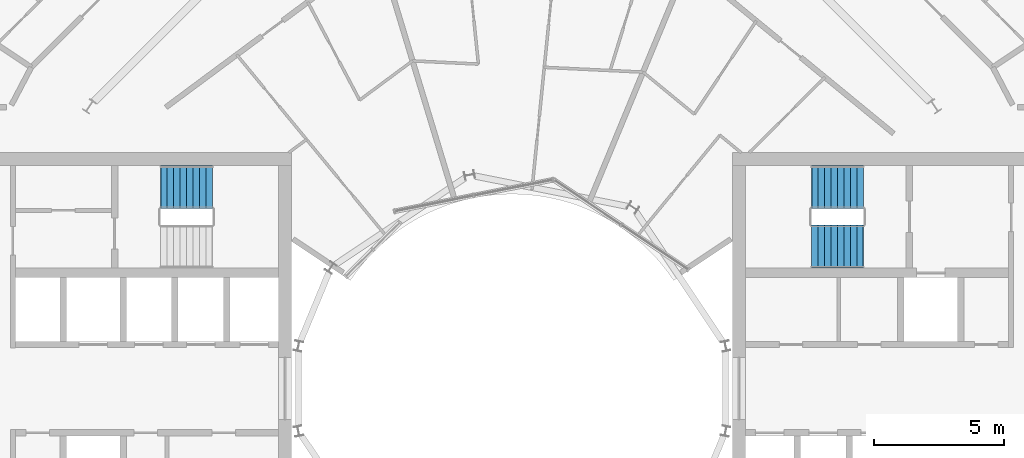
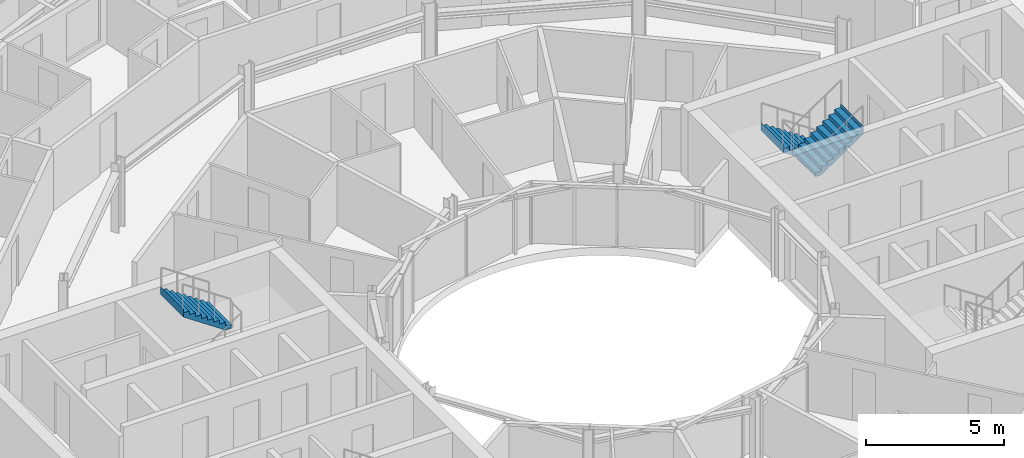
# One storey, part 25 of 27: 3 stair flights, 2 elements without a shape of their own.
"""IFC4 building model written with IfcOpenShell, lengths in metres."""

from ifc_helpers import new_model, si_unit, direction, frame, origin, place, context, subcontext, project, spatial, triangles, material, type_object, element, aggregate, save


model = new_model("IFC4")

# Units and contexts
model_context = context("Model", 3, precision=1e-05, world=origin(), true_north=direction((0.0, 1.0)))
body_context = subcontext(model_context, "Body", "Model", "MODEL_VIEW")
ifc_project = project(units=[si_unit("LENGTHUNIT", "METRE"), si_unit("AREAUNIT", "SQUARE_METRE"), si_unit("VOLUMEUNIT", "CUBIC_METRE"), si_unit("PLANEANGLEUNIT", "RADIAN"), si_unit("MASSUNIT", "GRAM", prefix="KILO")], contexts=[model_context])

# Site, building, storey
site_placement = place(None, origin())
site = spatial("IfcSite", under=ifc_project, at=site_placement, CompositionType="ELEMENT")
building_placement = place(site_placement, origin())
building = spatial("IfcBuilding", under=site, at=building_placement, Name="Maasbend Ring Residences", CompositionType="ELEMENT")
storey_placement = place(building_placement, frame((0.0, 0.0, 167.699951171875)))
storey = spatial("IfcBuildingStorey", under=building, at=storey_placement, Name="L48", CompositionType="ELEMENT", Elevation=167.699951171875)

# Stair, stair flights
ifc_material_1 = material(Name="Concrete C40/50", Category="concrete")
stair_type = type_object("IfcStairType", Name="CORE STAIR 18 RISERS", PredefinedType="HALF_TURN_STAIR", material=ifc_material_1)
stair_1_placement = place(storey_placement, origin())
stair_1 = element("IfcStair", 1, at=stair_1_placement, inside=storey, type_object=stair_type, Name="L48 Exit stair ST-E1", PredefinedType="HALF_TURN_STAIR")
ifc_material_2 = material(Name="Concrete C40/50", Category="concrete")
stair_flight_type = type_object("IfcStairFlightType", Name="CORE STAIR FLIGHT 1650", PredefinedType="STRAIGHT", material=ifc_material_2)
stair_flight_1_placement = place(storey_placement, frame((13.550048828125, 7.77490234375, 0.0), z_axis=(0.0, 0.0, 1.0), x_axis=(-1.0, 0.0, 0.0)))
stair_flight_1 = element("IfcStairFlight", 2, at=stair_flight_1_placement, type_object=stair_flight_type, Name="ST-E1 flight 1", NumberOfRisers=9, NumberOfTreads=8, PredefinedType="STRAIGHT", RiserHeight=0.169444444, TreadLength=0.25, context=body_context, shape_type="Tessellation", body=[
    triangles([(0.24072265625, 0.824951171875, -0.02001953125), (2.0029296875, 0.824951171875, 1.174560546875), (2.0029296875, 0.824951171875, 1.52490234375), (1.989990234375, 0.824951171875, 1.35546875), (1.75, 0.824951171875, 1.35546875), (1.75, 0.824951171875, 1.18603515625), (1.5, 0.824951171875, 1.18603515625), (1.5, 0.824951171875, 1.0166015625), (1.25, 0.824951171875, 1.0166015625), (1.25, 0.824951171875, 0.84716796875), (1.0, 0.824951171875, 0.84716796875), (1.0, 0.824951171875, 0.677734375), (0.75, 0.824951171875, 0.677734375), (0.75, 0.824951171875, 0.50830078125), (0.5, 0.824951171875, 0.50830078125), (0.5, 0.824951171875, 0.3388671875), (0.25, 0.824951171875, 0.3388671875), (0.25, 0.824951171875, 0.16943359375), (0.0, 0.824951171875, 0.16943359375), (0.0, 0.824951171875, 0.0), (-0.0029296875, 0.824951171875, 0.0), (-0.0029296875, 0.824951171875, -0.02001953125), (0.24072265625, 0.27490234375, -0.02001953125), (2.0029296875, 0.27490234375, 1.174560546875), (2.0029296875, 0.27490234375, 1.52490234375), (1.989990234375, 0.27490234375, 1.35546875), (1.75, 0.27490234375, 1.35546875), (1.75, 0.27490234375, 1.18603515625), (1.5, 0.27490234375, 1.18603515625), (1.5, 0.27490234375, 1.0166015625), (1.25, 0.27490234375, 1.0166015625), (1.25, 0.27490234375, 0.84716796875), (1.0, 0.27490234375, 0.84716796875), (1.0, 0.27490234375, 0.677734375), (0.75, 0.27490234375, 0.677734375), (0.75, 0.27490234375, 0.50830078125), (0.5, 0.27490234375, 0.50830078125), (0.5, 0.27490234375, 0.3388671875), (0.25, 0.27490234375, 0.3388671875), (0.25, 0.27490234375, 0.16943359375), (0.0, 0.27490234375, 0.16943359375), (0.0, 0.27490234375, 0.0), (-0.0029296875, 0.27490234375, 0.0), (-0.0029296875, 0.27490234375, -0.02001953125), (0.24072265625, -0.27490234375, -0.02001953125), (2.0029296875, -0.27490234375, 1.174560546875), (2.0029296875, -0.27490234375, 1.52490234375), (1.989990234375, -0.27490234375, 1.35546875), (1.75, -0.27490234375, 1.35546875), (1.75, -0.27490234375, 1.18603515625), (1.5, -0.27490234375, 1.18603515625), (1.5, -0.27490234375, 1.0166015625), (1.25, -0.27490234375, 1.0166015625), (1.25, -0.27490234375, 0.84716796875), (1.0, -0.27490234375, 0.84716796875), (1.0, -0.27490234375, 0.677734375), (0.75, -0.27490234375, 0.677734375), (0.75, -0.27490234375, 0.50830078125), (0.5, -0.27490234375, 0.50830078125), (0.5, -0.27490234375, 0.3388671875), (0.25, -0.27490234375, 0.3388671875), (0.25, -0.27490234375, 0.16943359375), (0.0, -0.27490234375, 0.16943359375), (0.0, -0.27490234375, 0.0), (-0.0029296875, -0.27490234375, 0.0), (-0.0029296875, -0.27490234375, -0.02001953125), (0.24072265625, -0.824951171875, -0.02001953125), (2.0029296875, -0.824951171875, 1.174560546875), (2.0029296875, -0.824951171875, 1.52490234375), (1.989990234375, -0.824951171875, 1.35546875), (1.75, -0.824951171875, 1.35546875), (1.75, -0.824951171875, 1.18603515625), (1.5, -0.824951171875, 1.18603515625), (1.5, -0.824951171875, 1.0166015625), (1.25, -0.824951171875, 1.0166015625), (1.25, -0.824951171875, 0.84716796875), (1.0, -0.824951171875, 0.84716796875), (1.0, -0.824951171875, 0.677734375), (0.75, -0.824951171875, 0.677734375), (0.75, -0.824951171875, 0.50830078125), (0.5, -0.824951171875, 0.50830078125), (0.5, -0.824951171875, 0.3388671875), (0.25, -0.824951171875, 0.3388671875), (0.25, -0.824951171875, 0.16943359375), (0.0, -0.824951171875, 0.16943359375), (0.0, -0.824951171875, 0.0), (-0.0029296875, -0.824951171875, 0.0), (-0.0029296875, -0.824951171875, -0.02001953125)], [[1, 2, 24], [1, 24, 23], [23, 24, 46], [23, 46, 45], [45, 46, 68], [45, 68, 67], [2, 3, 25], [2, 25, 24], [24, 25, 47], [24, 47, 46], [46, 47, 69], [46, 69, 68], [3, 4, 26], [3, 26, 25], [25, 26, 48], [25, 48, 47], [47, 48, 70], [47, 70, 69], [4, 5, 27], [4, 27, 26], [26, 27, 49], [26, 49, 48], [48, 49, 71], [48, 71, 70], [5, 6, 28], [5, 28, 27], [27, 28, 50], [27, 50, 49], [49, 50, 72], [49, 72, 71], [6, 7, 29], [6, 29, 28], [28, 29, 51], [28, 51, 50], [50, 51, 73], [50, 73, 72], [7, 8, 30], [7, 30, 29], [29, 30, 52], [29, 52, 51], [51, 52, 74], [51, 74, 73], [8, 9, 31], [8, 31, 30], [30, 31, 53], [30, 53, 52], [52, 53, 75], [52, 75, 74], [9, 10, 32], [9, 32, 31], [31, 32, 54], [31, 54, 53], [53, 54, 76], [53, 76, 75], [10, 11, 33], [10, 33, 32], [32, 33, 55], [32, 55, 54], [54, 55, 77], [54, 77, 76], [11, 12, 34], [11, 34, 33], [33, 34, 56], [33, 56, 55], [55, 56, 78], [55, 78, 77], [12, 13, 35], [12, 35, 34], [34, 35, 57], [34, 57, 56], [56, 57, 79], [56, 79, 78], [13, 14, 36], [13, 36, 35], [35, 36, 58], [35, 58, 57], [57, 58, 80], [57, 80, 79], [14, 15, 37], [14, 37, 36], [36, 37, 59], [36, 59, 58], [58, 59, 81], [58, 81, 80], [15, 16, 38], [15, 38, 37], [37, 38, 60], [37, 60, 59], [59, 60, 82], [59, 82, 81], [16, 17, 39], [16, 39, 38], [38, 39, 61], [38, 61, 60], [60, 61, 83], [60, 83, 82], [17, 18, 40], [17, 40, 39], [39, 40, 62], [39, 62, 61], [61, 62, 84], [61, 84, 83], [18, 19, 41], [18, 41, 40], [40, 41, 63], [40, 63, 62], [62, 63, 85], [62, 85, 84], [19, 20, 42], [19, 42, 41], [41, 42, 64], [41, 64, 63], [63, 64, 86], [63, 86, 85], [20, 21, 43], [20, 43, 42], [42, 43, 65], [42, 65, 64], [64, 65, 87], [64, 87, 86], [21, 22, 44], [21, 44, 43], [43, 44, 66], [43, 66, 65], [65, 66, 88], [65, 88, 87], [22, 1, 23], [22, 23, 44], [44, 23, 45], [44, 45, 66], [66, 45, 67], [66, 67, 88], [22, 2, 1], [2, 4, 3], [2, 5, 4], [2, 6, 5], [22, 6, 2], [6, 8, 7], [22, 8, 6], [8, 10, 9], [22, 10, 8], [10, 12, 11], [22, 12, 10], [12, 14, 13], [22, 14, 12], [14, 16, 15], [22, 16, 14], [16, 18, 17], [22, 18, 16], [18, 20, 19], [22, 20, 18], [20, 22, 21], [88, 67, 68], [68, 69, 70], [68, 70, 71], [68, 71, 72], [88, 68, 72], [72, 73, 74], [88, 72, 74], [74, 75, 76], [88, 74, 76], [76, 77, 78], [88, 76, 78], [78, 79, 80], [88, 78, 80], [80, 81, 82], [88, 80, 82], [82, 83, 84], [88, 82, 84], [84, 85, 86], [88, 84, 86], [86, 87, 88]], closed=True),
])
stair_flight_2_placement = place(storey_placement, frame((11.550048828125, 5.47509765625, 1.525146484375), z_axis=(0.0, 0.0, 1.0), x_axis=(1.0, 0.0, 0.0)))
stair_flight_2 = element("IfcStairFlight", 3, at=stair_flight_2_placement, type_object=stair_flight_type, Name="ST-E1 flight 2", NumberOfRisers=9, NumberOfTreads=8, PredefinedType="STRAIGHT", RiserHeight=0.169444444, TreadLength=0.25, context=body_context, shape_type="Tessellation", body=[
    triangles([(0.24072265625, 0.824951171875, -0.02001953125), (2.0029296875, 0.824951171875, 1.174560546875), (2.0029296875, 0.824951171875, 1.52490234375), (1.989990234375, 0.824951171875, 1.35546875), (1.75, 0.824951171875, 1.35546875), (1.75, 0.824951171875, 1.18603515625), (1.5, 0.824951171875, 1.18603515625), (1.5, 0.824951171875, 1.0166015625), (1.25, 0.824951171875, 1.0166015625), (1.25, 0.824951171875, 0.84716796875), (1.0, 0.824951171875, 0.84716796875), (1.0, 0.824951171875, 0.677734375), (0.75, 0.824951171875, 0.677734375), (0.75, 0.824951171875, 0.50830078125), (0.5, 0.824951171875, 0.50830078125), (0.5, 0.824951171875, 0.3388671875), (0.25, 0.824951171875, 0.3388671875), (0.25, 0.824951171875, 0.16943359375), (0.0, 0.824951171875, 0.16943359375), (0.0, 0.824951171875, 0.0), (-0.0029296875, 0.824951171875, 0.0), (-0.0029296875, 0.824951171875, -0.02001953125), (0.24072265625, 0.27490234375, -0.02001953125), (2.0029296875, 0.27490234375, 1.174560546875), (2.0029296875, 0.27490234375, 1.52490234375), (1.989990234375, 0.27490234375, 1.35546875), (1.75, 0.27490234375, 1.35546875), (1.75, 0.27490234375, 1.18603515625), (1.5, 0.27490234375, 1.18603515625), (1.5, 0.27490234375, 1.0166015625), (1.25, 0.27490234375, 1.0166015625), (1.25, 0.27490234375, 0.84716796875), (1.0, 0.27490234375, 0.84716796875), (1.0, 0.27490234375, 0.677734375), (0.75, 0.27490234375, 0.677734375), (0.75, 0.27490234375, 0.50830078125), (0.5, 0.27490234375, 0.50830078125), (0.5, 0.27490234375, 0.3388671875), (0.25, 0.27490234375, 0.3388671875), (0.25, 0.27490234375, 0.16943359375), (0.0, 0.27490234375, 0.16943359375), (0.0, 0.27490234375, 0.0), (-0.0029296875, 0.27490234375, 0.0), (-0.0029296875, 0.27490234375, -0.02001953125), (0.24072265625, -0.27490234375, -0.02001953125), (2.0029296875, -0.27490234375, 1.174560546875), (2.0029296875, -0.27490234375, 1.52490234375), (1.989990234375, -0.27490234375, 1.35546875), (1.75, -0.27490234375, 1.35546875), (1.75, -0.27490234375, 1.18603515625), (1.5, -0.27490234375, 1.18603515625), (1.5, -0.27490234375, 1.0166015625), (1.25, -0.27490234375, 1.0166015625), (1.25, -0.27490234375, 0.84716796875), (1.0, -0.27490234375, 0.84716796875), (1.0, -0.27490234375, 0.677734375), (0.75, -0.27490234375, 0.677734375), (0.75, -0.27490234375, 0.50830078125), (0.5, -0.27490234375, 0.50830078125), (0.5, -0.27490234375, 0.3388671875), (0.25, -0.27490234375, 0.3388671875), (0.25, -0.27490234375, 0.16943359375), (0.0, -0.27490234375, 0.16943359375), (0.0, -0.27490234375, 0.0), (-0.0029296875, -0.27490234375, 0.0), (-0.0029296875, -0.27490234375, -0.02001953125), (0.24072265625, -0.824951171875, -0.02001953125), (2.0029296875, -0.824951171875, 1.174560546875), (2.0029296875, -0.824951171875, 1.52490234375), (1.989990234375, -0.824951171875, 1.35546875), (1.75, -0.824951171875, 1.35546875), (1.75, -0.824951171875, 1.18603515625), (1.5, -0.824951171875, 1.18603515625), (1.5, -0.824951171875, 1.0166015625), (1.25, -0.824951171875, 1.0166015625), (1.25, -0.824951171875, 0.84716796875), (1.0, -0.824951171875, 0.84716796875), (1.0, -0.824951171875, 0.677734375), (0.75, -0.824951171875, 0.677734375), (0.75, -0.824951171875, 0.50830078125), (0.5, -0.824951171875, 0.50830078125), (0.5, -0.824951171875, 0.3388671875), (0.25, -0.824951171875, 0.3388671875), (0.25, -0.824951171875, 0.16943359375), (0.0, -0.824951171875, 0.16943359375), (0.0, -0.824951171875, 0.0), (-0.0029296875, -0.824951171875, 0.0), (-0.0029296875, -0.824951171875, -0.02001953125)], [[1, 2, 24], [1, 24, 23], [23, 24, 46], [23, 46, 45], [45, 46, 68], [45, 68, 67], [2, 3, 25], [2, 25, 24], [24, 25, 47], [24, 47, 46], [46, 47, 69], [46, 69, 68], [3, 4, 26], [3, 26, 25], [25, 26, 48], [25, 48, 47], [47, 48, 70], [47, 70, 69], [4, 5, 27], [4, 27, 26], [26, 27, 49], [26, 49, 48], [48, 49, 71], [48, 71, 70], [5, 6, 28], [5, 28, 27], [27, 28, 50], [27, 50, 49], [49, 50, 72], [49, 72, 71], [6, 7, 29], [6, 29, 28], [28, 29, 51], [28, 51, 50], [50, 51, 73], [50, 73, 72], [7, 8, 30], [7, 30, 29], [29, 30, 52], [29, 52, 51], [51, 52, 74], [51, 74, 73], [8, 9, 31], [8, 31, 30], [30, 31, 53], [30, 53, 52], [52, 53, 75], [52, 75, 74], [9, 10, 32], [9, 32, 31], [31, 32, 54], [31, 54, 53], [53, 54, 76], [53, 76, 75], [10, 11, 33], [10, 33, 32], [32, 33, 55], [32, 55, 54], [54, 55, 77], [54, 77, 76], [11, 12, 34], [11, 34, 33], [33, 34, 56], [33, 56, 55], [55, 56, 78], [55, 78, 77], [12, 13, 35], [12, 35, 34], [34, 35, 57], [34, 57, 56], [56, 57, 79], [56, 79, 78], [13, 14, 36], [13, 36, 35], [35, 36, 58], [35, 58, 57], [57, 58, 80], [57, 80, 79], [14, 15, 37], [14, 37, 36], [36, 37, 59], [36, 59, 58], [58, 59, 81], [58, 81, 80], [15, 16, 38], [15, 38, 37], [37, 38, 60], [37, 60, 59], [59, 60, 82], [59, 82, 81], [16, 17, 39], [16, 39, 38], [38, 39, 61], [38, 61, 60], [60, 61, 83], [60, 83, 82], [17, 18, 40], [17, 40, 39], [39, 40, 62], [39, 62, 61], [61, 62, 84], [61, 84, 83], [18, 19, 41], [18, 41, 40], [40, 41, 63], [40, 63, 62], [62, 63, 85], [62, 85, 84], [19, 20, 42], [19, 42, 41], [41, 42, 64], [41, 64, 63], [63, 64, 86], [63, 86, 85], [20, 21, 43], [20, 43, 42], [42, 43, 65], [42, 65, 64], [64, 65, 87], [64, 87, 86], [21, 22, 44], [21, 44, 43], [43, 44, 66], [43, 66, 65], [65, 66, 88], [65, 88, 87], [22, 1, 23], [22, 23, 44], [44, 23, 45], [44, 45, 66], [66, 45, 67], [66, 67, 88], [22, 2, 1], [2, 4, 3], [2, 5, 4], [2, 6, 5], [22, 6, 2], [6, 8, 7], [22, 8, 6], [8, 10, 9], [22, 10, 8], [10, 12, 11], [22, 12, 10], [12, 14, 13], [22, 14, 12], [14, 16, 15], [22, 16, 14], [16, 18, 17], [22, 18, 16], [18, 20, 19], [22, 20, 18], [20, 22, 21], [88, 67, 68], [68, 69, 70], [68, 70, 71], [68, 71, 72], [88, 68, 72], [72, 73, 74], [88, 72, 74], [74, 75, 76], [88, 74, 76], [76, 77, 78], [88, 76, 78], [78, 79, 80], [88, 78, 80], [80, 81, 82], [88, 80, 82], [82, 83, 84], [88, 82, 84], [84, 85, 86], [88, 84, 86], [86, 87, 88]], closed=True),
])
aggregate(stair_1, [stair_flight_1, stair_flight_2])

# Stair, stair flight
stair_2_placement = place(storey_placement, origin())
stair_2 = element("IfcStair", 4, at=stair_2_placement, inside=storey, type_object=stair_type, Name="L48 Exit stair ST-W2", PredefinedType="HALF_TURN_STAIR")
stair_flight_3_placement = place(storey_placement, frame((-11.550048828125, 7.77490234375, 1.525146484375), z_axis=(0.0, 0.0, 1.0), x_axis=(-1.0, 0.0, 0.0)))
stair_flight_3 = element("IfcStairFlight", 5, at=stair_flight_3_placement, type_object=stair_flight_type, Name="ST-W2 flight 2", NumberOfRisers=9, NumberOfTreads=8, PredefinedType="STRAIGHT", RiserHeight=0.169444444, TreadLength=0.25, context=body_context, shape_type="Tessellation", body=[
    triangles([(0.24072265625, 0.824951171875, -0.02001953125), (2.0029296875, 0.824951171875, 1.174560546875), (2.0029296875, 0.824951171875, 1.52490234375), (1.989990234375, 0.824951171875, 1.35546875), (1.75, 0.824951171875, 1.35546875), (1.75, 0.824951171875, 1.18603515625), (1.5, 0.824951171875, 1.18603515625), (1.5, 0.824951171875, 1.0166015625), (1.25, 0.824951171875, 1.0166015625), (1.25, 0.824951171875, 0.84716796875), (1.0, 0.824951171875, 0.84716796875), (1.0, 0.824951171875, 0.677734375), (0.75, 0.824951171875, 0.677734375), (0.75, 0.824951171875, 0.50830078125), (0.5, 0.824951171875, 0.50830078125), (0.5, 0.824951171875, 0.3388671875), (0.25, 0.824951171875, 0.3388671875), (0.25, 0.824951171875, 0.16943359375), (0.0, 0.824951171875, 0.16943359375), (0.0, 0.824951171875, 0.0), (-0.0029296875, 0.824951171875, 0.0), (-0.0029296875, 0.824951171875, -0.02001953125), (0.24072265625, 0.27490234375, -0.02001953125), (2.0029296875, 0.27490234375, 1.174560546875), (2.0029296875, 0.27490234375, 1.52490234375), (1.989990234375, 0.27490234375, 1.35546875), (1.75, 0.27490234375, 1.35546875), (1.75, 0.27490234375, 1.18603515625), (1.5, 0.27490234375, 1.18603515625), (1.5, 0.27490234375, 1.0166015625), (1.25, 0.27490234375, 1.0166015625), (1.25, 0.27490234375, 0.84716796875), (1.0, 0.27490234375, 0.84716796875), (1.0, 0.27490234375, 0.677734375), (0.75, 0.27490234375, 0.677734375), (0.75, 0.27490234375, 0.50830078125), (0.5, 0.27490234375, 0.50830078125), (0.5, 0.27490234375, 0.3388671875), (0.25, 0.27490234375, 0.3388671875), (0.25, 0.27490234375, 0.16943359375), (0.0, 0.27490234375, 0.16943359375), (0.0, 0.27490234375, 0.0), (-0.0029296875, 0.27490234375, 0.0), (-0.0029296875, 0.27490234375, -0.02001953125), (0.24072265625, -0.27490234375, -0.02001953125), (2.0029296875, -0.27490234375, 1.174560546875), (2.0029296875, -0.27490234375, 1.52490234375), (1.989990234375, -0.27490234375, 1.35546875), (1.75, -0.27490234375, 1.35546875), (1.75, -0.27490234375, 1.18603515625), (1.5, -0.27490234375, 1.18603515625), (1.5, -0.27490234375, 1.0166015625), (1.25, -0.27490234375, 1.0166015625), (1.25, -0.27490234375, 0.84716796875), (1.0, -0.27490234375, 0.84716796875), (1.0, -0.27490234375, 0.677734375), (0.75, -0.27490234375, 0.677734375), (0.75, -0.27490234375, 0.50830078125), (0.5, -0.27490234375, 0.50830078125), (0.5, -0.27490234375, 0.3388671875), (0.25, -0.27490234375, 0.3388671875), (0.25, -0.27490234375, 0.16943359375), (0.0, -0.27490234375, 0.16943359375), (0.0, -0.27490234375, 0.0), (-0.0029296875, -0.27490234375, 0.0), (-0.0029296875, -0.27490234375, -0.02001953125), (0.24072265625, -0.824951171875, -0.02001953125), (2.0029296875, -0.824951171875, 1.174560546875), (2.0029296875, -0.824951171875, 1.52490234375), (1.989990234375, -0.824951171875, 1.35546875), (1.75, -0.824951171875, 1.35546875), (1.75, -0.824951171875, 1.18603515625), (1.5, -0.824951171875, 1.18603515625), (1.5, -0.824951171875, 1.0166015625), (1.25, -0.824951171875, 1.0166015625), (1.25, -0.824951171875, 0.84716796875), (1.0, -0.824951171875, 0.84716796875), (1.0, -0.824951171875, 0.677734375), (0.75, -0.824951171875, 0.677734375), (0.75, -0.824951171875, 0.50830078125), (0.5, -0.824951171875, 0.50830078125), (0.5, -0.824951171875, 0.3388671875), (0.25, -0.824951171875, 0.3388671875), (0.25, -0.824951171875, 0.16943359375), (0.0, -0.824951171875, 0.16943359375), (0.0, -0.824951171875, 0.0), (-0.0029296875, -0.824951171875, 0.0), (-0.0029296875, -0.824951171875, -0.02001953125)], [[1, 2, 24], [1, 24, 23], [23, 24, 46], [23, 46, 45], [45, 46, 68], [45, 68, 67], [2, 3, 25], [2, 25, 24], [24, 25, 47], [24, 47, 46], [46, 47, 69], [46, 69, 68], [3, 4, 26], [3, 26, 25], [25, 26, 48], [25, 48, 47], [47, 48, 70], [47, 70, 69], [4, 5, 27], [4, 27, 26], [26, 27, 49], [26, 49, 48], [48, 49, 71], [48, 71, 70], [5, 6, 28], [5, 28, 27], [27, 28, 50], [27, 50, 49], [49, 50, 72], [49, 72, 71], [6, 7, 29], [6, 29, 28], [28, 29, 51], [28, 51, 50], [50, 51, 73], [50, 73, 72], [7, 8, 30], [7, 30, 29], [29, 30, 52], [29, 52, 51], [51, 52, 74], [51, 74, 73], [8, 9, 31], [8, 31, 30], [30, 31, 53], [30, 53, 52], [52, 53, 75], [52, 75, 74], [9, 10, 32], [9, 32, 31], [31, 32, 54], [31, 54, 53], [53, 54, 76], [53, 76, 75], [10, 11, 33], [10, 33, 32], [32, 33, 55], [32, 55, 54], [54, 55, 77], [54, 77, 76], [11, 12, 34], [11, 34, 33], [33, 34, 56], [33, 56, 55], [55, 56, 78], [55, 78, 77], [12, 13, 35], [12, 35, 34], [34, 35, 57], [34, 57, 56], [56, 57, 79], [56, 79, 78], [13, 14, 36], [13, 36, 35], [35, 36, 58], [35, 58, 57], [57, 58, 80], [57, 80, 79], [14, 15, 37], [14, 37, 36], [36, 37, 59], [36, 59, 58], [58, 59, 81], [58, 81, 80], [15, 16, 38], [15, 38, 37], [37, 38, 60], [37, 60, 59], [59, 60, 82], [59, 82, 81], [16, 17, 39], [16, 39, 38], [38, 39, 61], [38, 61, 60], [60, 61, 83], [60, 83, 82], [17, 18, 40], [17, 40, 39], [39, 40, 62], [39, 62, 61], [61, 62, 84], [61, 84, 83], [18, 19, 41], [18, 41, 40], [40, 41, 63], [40, 63, 62], [62, 63, 85], [62, 85, 84], [19, 20, 42], [19, 42, 41], [41, 42, 64], [41, 64, 63], [63, 64, 86], [63, 86, 85], [20, 21, 43], [20, 43, 42], [42, 43, 65], [42, 65, 64], [64, 65, 87], [64, 87, 86], [21, 22, 44], [21, 44, 43], [43, 44, 66], [43, 66, 65], [65, 66, 88], [65, 88, 87], [22, 1, 23], [22, 23, 44], [44, 23, 45], [44, 45, 66], [66, 45, 67], [66, 67, 88], [22, 2, 1], [2, 4, 3], [2, 5, 4], [2, 6, 5], [22, 6, 2], [6, 8, 7], [22, 8, 6], [8, 10, 9], [22, 10, 8], [10, 12, 11], [22, 12, 10], [12, 14, 13], [22, 14, 12], [14, 16, 15], [22, 16, 14], [16, 18, 17], [22, 18, 16], [18, 20, 19], [22, 20, 18], [20, 22, 21], [88, 67, 68], [68, 69, 70], [68, 70, 71], [68, 71, 72], [88, 68, 72], [72, 73, 74], [88, 72, 74], [74, 75, 76], [88, 74, 76], [76, 77, 78], [88, 76, 78], [78, 79, 80], [88, 78, 80], [80, 81, 82], [88, 80, 82], [82, 83, 84], [88, 82, 84], [84, 85, 86], [88, 84, 86], [86, 87, 88]], closed=True),
])
aggregate(stair_2, [stair_flight_3])

save(model, "model.ifc")
